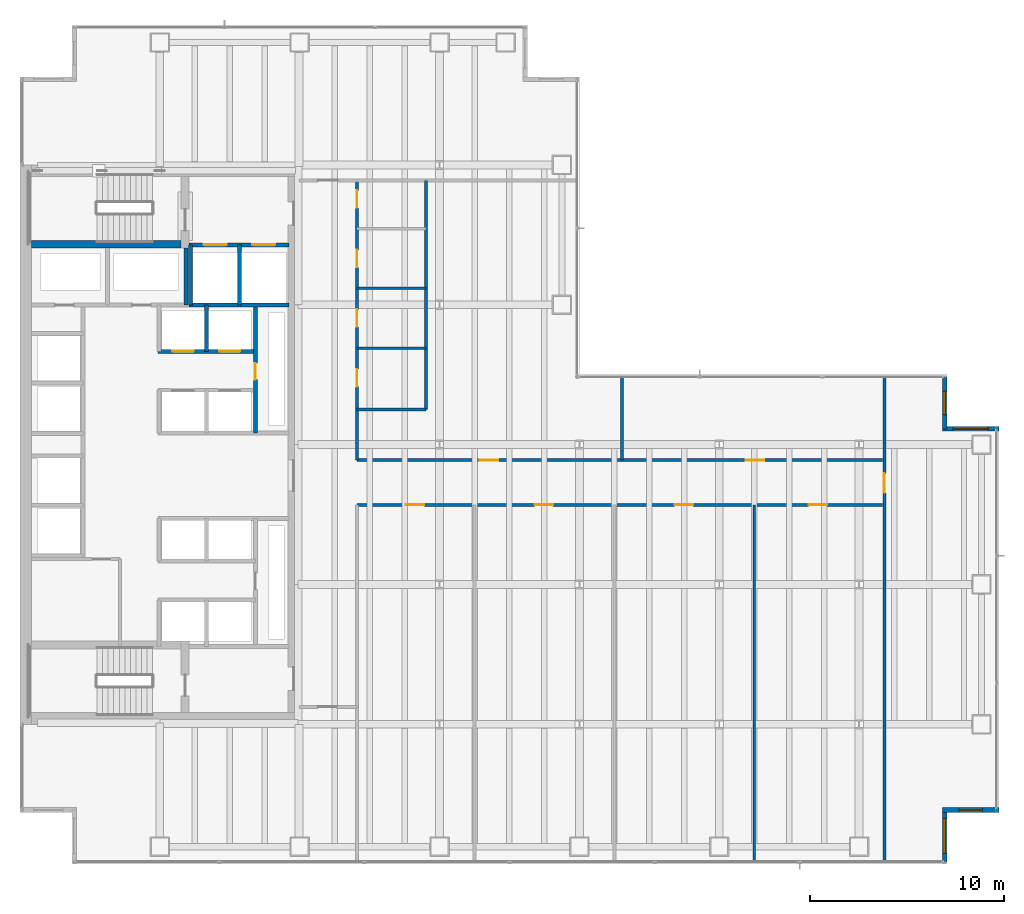
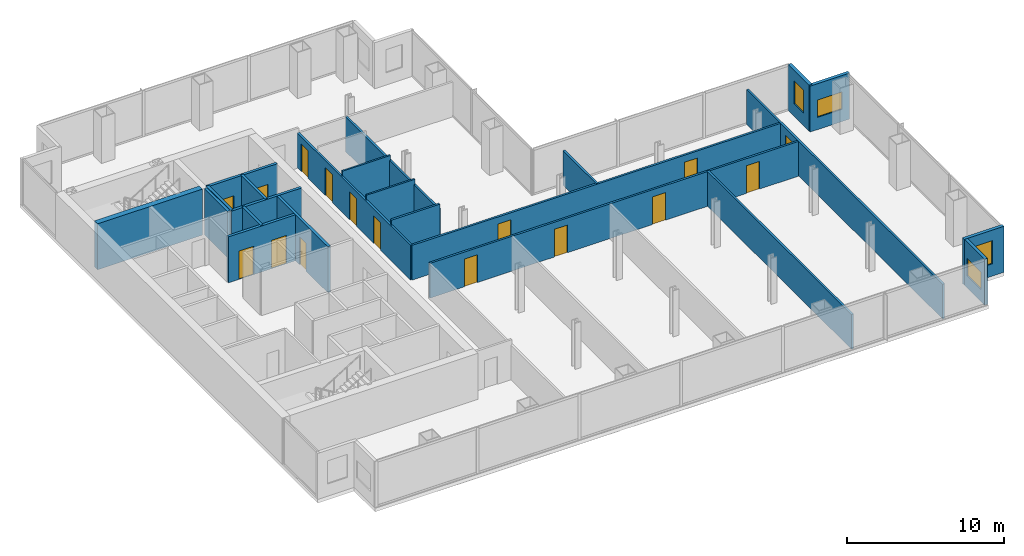
# One storey, part 21 of 25: 23 walls, 16 doors, 4 windows, 20 openings.
"""IFC4 building model written with IfcOpenShell, lengths in metres."""

from ifc_helpers import new_model, si_unit, direction, frame, frame_2d, origin, place, context, subcontext, project, spatial, rectangle, extrude, material, layer, layer_set, type_object, element, fill, save


model = new_model("IFC4")

# Units and contexts
model_context = context("Model", 3, precision=1e-05, world=origin(), true_north=direction((0.0, 1.0)))
body_context = subcontext(model_context, "Body", "Model", "MODEL_VIEW")
ifc_project = project(units=[si_unit("LENGTHUNIT", "METRE"), si_unit("AREAUNIT", "SQUARE_METRE"), si_unit("VOLUMEUNIT", "CUBIC_METRE"), si_unit("PLANEANGLEUNIT", "RADIAN"), si_unit("MASSUNIT", "GRAM", prefix="KILO")], contexts=[model_context])

# Site, building, storey
site_placement = place(None, origin())
site = spatial("IfcSite", under=ifc_project, at=site_placement, CompositionType="ELEMENT")
building_placement = place(site_placement, origin())
building = spatial("IfcBuilding", under=site, at=building_placement, Name="Cobrela Telecom Tower", CompositionType="ELEMENT")
storey_placement = place(building_placement, frame((0.0, 0.0, 58.10009765625)))
storey = spatial("IfcBuildingStorey", under=building, at=storey_placement, Name="L14", CompositionType="ELEMENT", Elevation=58.10009765625)

# Wall, opening, window
ifc_material_1 = material(Name="Concrete C40/50", Category="concrete")
ifc_layer_1 = layer(ifc_material_1, 0.239990234375)
ifc_layer_set_1 = layer_set([ifc_layer_1], Name="Concrete C40/50")
wall_type_1 = type_object("IfcWallType", Name="WALL-EXT-300", PredefinedType="STANDARD", material=ifc_layer_set_1)
wall_1_placement = place(storey_placement, frame((47.610107421875, 25.080078125, 0.0), z_axis=(0.0, 0.0, 1.0), x_axis=(0.0, -1.0, 0.0)))
wall_1 = element("IfcWall", 1, at=wall_1_placement, inside=storey, type_object=wall_type_1, Name="L14 Insulated Facade Wall 12", PredefinedType="STANDARD", context=body_context, shape_type="SweptSolid", body=[
    extrude(rectangle(XDim=2.670166015625, YDim=0.239990234375, at=frame_2d((1.3349609375, 0.0))), origin(), (0.0, 0.0, 1.0), 3.56982421875),
])
opening_1_placement = place(wall_1_placement, frame((0.735107421875, 0.0, 0.949951171875)))
opening_1 = element("IfcOpeningElement", 2, at=opening_1_placement, cuts=wall_1, Name="Opening WN-19", PredefinedType="OPENING", context=body_context, shape_type="SweptSolid", body=[
    extrude(rectangle(XDim=1.199951171875, YDim=1.800048828125, at=frame_2d((0.60009765625, 0.89990234375))), frame((0.0, 0.1318359375, 0.0), z_axis=(0.0, -1.0, 0.0), x_axis=(1.0, 0.0, 0.0)), (0.0, 0.0, 1.0), 0.263916015625),
])
ifc_material_2 = material(Name="Solar-Control Bronze Low-E Glass", Category="glass")
window_type_1 = type_object("IfcWindowType", Name="WIN-MOD-1200", PartitioningType="SINGLE_PANEL", PredefinedType="WINDOW", material=ifc_material_2)
window_1_placement = place(opening_1_placement, origin())
window_1 = element("IfcWindow", 3, at=window_1_placement, inside=storey, type_object=window_type_1, Name="L14 Corner Notch Facade Window 066", OverallHeight=1.800048828125, OverallWidth=1.199951171875, PartitioningType="SINGLE_PANEL", PredefinedType="WINDOW", context=body_context, shape_type="SweptSolid", body=[
    extrude(rectangle(XDim=1.199951171875, YDim=1.800048828125, at=frame_2d((0.60009765625, 0.89990234375))), frame((0.0, 0.030029296875, 0.0), z_axis=(0.0, -1.0, 0.0), x_axis=(1.0, 0.0, 0.0)), (0.0, 0.0, 1.0), 0.06005859375),
])
fill(opening_1, window_1)

wall_2_placement = place(storey_placement, frame((47.489990234375, 22.409912109375, 0.0), z_axis=(0.0, 0.0, 1.0), x_axis=(1.0, 0.0, 0.0)))
wall_2 = element("IfcWall", 4, at=wall_2_placement, inside=storey, type_object=wall_type_1, Name="L14 Insulated Facade Wall 13", PredefinedType="STANDARD", context=body_context, shape_type="SweptSolid", body=[
    extrude(rectangle(XDim=2.909912109375, YDim=0.239990234375, at=frame_2d((1.455078125, 0.0))), origin(), (0.0, 0.0, 1.0), 3.56982421875),
])
opening_2_placement = place(wall_2_placement, frame((0.554931640625, 0.0, 0.949951171875)))
opening_2 = element("IfcOpeningElement", 5, at=opening_2_placement, cuts=wall_2, Name="Opening WN-27", PredefinedType="OPENING", context=body_context, shape_type="SweptSolid", body=[
    extrude(rectangle(XDim=1.800048828125, YDim=1.35009765625, at=frame_2d((0.89990234375, 0.675048828125))), frame((0.0, 0.1318359375, 0.0), z_axis=(0.0, -1.0, 0.0), x_axis=(1.0, 0.0, 0.0)), (0.0, 0.0, 1.0), 0.263916015625),
])
window_type_2 = type_object("IfcWindowType", Name="WIN-CLER-1800", PartitioningType="SINGLE_PANEL", PredefinedType="WINDOW", material=ifc_material_2)
window_2_placement = place(opening_2_placement, origin())
window_2 = element("IfcWindow", 6, at=window_2_placement, inside=storey, type_object=window_type_2, Name="L14 Corner Notch Facade Window 067", OverallHeight=1.35009765625, OverallWidth=1.800048828125, PartitioningType="SINGLE_PANEL", PredefinedType="WINDOW", context=body_context, shape_type="SweptSolid", body=[
    extrude(rectangle(XDim=1.800048828125, YDim=1.35009765625, at=frame_2d((0.89990234375, 0.675048828125))), frame((0.0, 0.030029296875, 0.0), z_axis=(0.0, -1.0, 0.0), x_axis=(1.0, 0.0, 0.0)), (0.0, 0.0, 1.0), 0.06005859375),
])
fill(opening_2, window_2)

wall_3_placement = place(storey_placement, frame((50.39990234375, 2.7900390625, 0.0), z_axis=(0.0, 0.0, 1.0), x_axis=(-1.0, 0.0, 0.0)))
wall_3 = element("IfcWall", 7, at=wall_3_placement, inside=storey, type_object=wall_type_1, Name="L14 Insulated Facade Wall 15", PredefinedType="STANDARD", context=body_context, shape_type="SweptSolid", body=[
    extrude(rectangle(XDim=2.909912109375, YDim=0.239990234375, at=frame_2d((1.455078125, 0.0))), origin(), (0.0, 0.0, 1.0), 3.56982421875),
])
opening_3_placement = place(wall_3_placement, frame((0.85498046875, 0.0, 0.949951171875)))
opening_3 = element("IfcOpeningElement", 8, at=opening_3_placement, cuts=wall_3, Name="Opening WN-19", PredefinedType="OPENING", context=body_context, shape_type="SweptSolid", body=[
    extrude(rectangle(XDim=1.199951171875, YDim=1.800048828125, at=frame_2d((0.60009765625, 0.89990234375))), frame((0.0, 0.1318359375, 0.0), z_axis=(0.0, -1.0, 0.0), x_axis=(1.0, 0.0, 0.0)), (0.0, 0.0, 1.0), 0.263916015625),
])
window_3_placement = place(opening_3_placement, origin())
window_3 = element("IfcWindow", 9, at=window_3_placement, inside=storey, type_object=window_type_1, Name="L14 Corner Notch Facade Window 068", OverallHeight=1.800048828125, OverallWidth=1.199951171875, PartitioningType="SINGLE_PANEL", PredefinedType="WINDOW", context=body_context, shape_type="SweptSolid", body=[
    extrude(rectangle(XDim=1.199951171875, YDim=1.800048828125, at=frame_2d((0.60009765625, 0.89990234375))), frame((0.0, 0.030029296875, 0.0), z_axis=(0.0, -1.0, 0.0), x_axis=(1.0, 0.0, 0.0)), (0.0, 0.0, 1.0), 0.06005859375),
])
fill(opening_3, window_3)

wall_4_placement = place(storey_placement, frame((47.610107421875, 2.7900390625, 0.0), z_axis=(0.0, 0.0, 1.0), x_axis=(0.0, -1.0, 0.0)))
wall_4 = element("IfcWall", 10, at=wall_4_placement, inside=storey, type_object=wall_type_1, Name="L14 Insulated Facade Wall 16", PredefinedType="STANDARD", context=body_context, shape_type="SweptSolid", body=[
    extrude(rectangle(XDim=2.669921875, YDim=0.239990234375, at=frame_2d((1.3349609375, 0.0))), origin(), (0.0, 0.0, 1.0), 3.56982421875),
])
opening_4_placement = place(wall_4_placement, frame((0.43505859375, 0.0, 0.949951171875)))
opening_4 = element("IfcOpeningElement", 11, at=opening_4_placement, cuts=wall_4, Name="Opening WN-27", PredefinedType="OPENING", context=body_context, shape_type="SweptSolid", body=[
    extrude(rectangle(XDim=1.800048828125, YDim=1.35009765625, at=frame_2d((0.89990234375, 0.675048828125))), frame((0.0, 0.1318359375, 0.0), z_axis=(0.0, -1.0, 0.0), x_axis=(1.0, 0.0, 0.0)), (0.0, 0.0, 1.0), 0.263916015625),
])
window_4_placement = place(opening_4_placement, origin())
window_4 = element("IfcWindow", 12, at=window_4_placement, inside=storey, type_object=window_type_2, Name="L14 Corner Notch Facade Window 069", OverallHeight=1.35009765625, OverallWidth=1.800048828125, PartitioningType="SINGLE_PANEL", PredefinedType="WINDOW", context=body_context, shape_type="SweptSolid", body=[
    extrude(rectangle(XDim=1.800048828125, YDim=1.35009765625, at=frame_2d((0.89990234375, 0.675048828125))), frame((0.0, 0.030029296875, 0.0), z_axis=(0.0, -1.0, 0.0), x_axis=(1.0, 0.0, 0.0)), (0.0, 0.0, 1.0), 0.06005859375),
])
fill(opening_4, window_4)

# Walls
ifc_material_3 = material(Name="Fire-Rated Gypsum Plasterboard")
ifc_layer_2 = layer(ifc_material_3, 0.125)
ifc_layer_set_2 = layer_set([ifc_layer_2], Name="Fire-Rated Gypsum Plasterboard")
wall_type_2 = type_object("IfcWallType", Name="WALL-PART-125", PredefinedType="PARTITIONING", material=ifc_layer_set_2)
for number, where, z_axis, x_axis, name in (
    (13, (17.35009765625, 26.570068359375, 0.0), (0.0, 0.0, 1.0), (1.0, 0.0, 0.0), "L14 Interior Partition W-WCD-1"),
    (14, (17.35009765625, 29.639892578125, 0.0), (0.0, 0.0, 1.0), (1.0, 0.0, 0.0), "L14 Interior Partition W-WCD-2"),
):
    element("IfcWall", number, at=place(storey_placement, frame(where, z_axis=z_axis, x_axis=x_axis)), inside=storey, type_object=wall_type_2, Name=name, PredefinedType="PARTITIONING", context=body_context, shape_type="SweptSolid", body=[
        extrude(rectangle(XDim=3.5498046875, YDim=0.125, at=frame_2d((1.77490234375, 0.0))), origin(), (0.0, 0.0, 1.0), 3.087890625),
    ])

# Wall, openings, doors
ifc_layer_3 = layer(ifc_material_3, 0.14990234375)
ifc_layer_set_3 = layer_set([ifc_layer_3], Name="Fire-Rated Gypsum Plasterboard")
wall_type_3 = type_object("IfcWallType", Name="WALL-PART-150", PredefinedType="PARTITIONING", material=ifc_layer_set_3)
wall_5_placement = place(storey_placement, frame((17.35009765625, 20.800048828125, 0.0), z_axis=(0.0, 0.0, 1.0), x_axis=(0.0, 1.0, 0.0)))
wall_5 = element("IfcWall", 15, at=wall_5_placement, inside=storey, type_object=wall_type_3, Name="L14 Interior Partition W-C-E2", PredefinedType="PARTITIONING", context=body_context, shape_type="SweptSolid", body=[
    extrude(rectangle(XDim=14.39990234375, YDim=0.14990234375, at=frame_2d((7.199951171875, 0.0))), origin(), (0.0, 0.0, 1.0), 2.698974609375),
])
opening_5_placement = place(wall_5_placement, frame((3.7900390625, 0.0, 0.0)))
opening_5 = element("IfcOpeningElement", 16, at=opening_5_placement, cuts=wall_5, Name="Opening DR-41", PredefinedType="OPENING", context=body_context, shape_type="SweptSolid", body=[
    extrude(rectangle(XDim=0.89990234375, YDim=2.14990234375, at=frame_2d((0.449951171875, 1.074951171875))), frame((0.0, 0.0869140625, 0.0), z_axis=(0.0, -1.0, 0.0), x_axis=(1.0, 0.0, 0.0)), (0.0, 0.0, 1.0), 0.173828125),
])
opening_6_placement = place(wall_5_placement, frame((6.860107421875, 0.0, 0.0)))
opening_6 = element("IfcOpeningElement", 17, at=opening_6_placement, cuts=wall_5, Name="Opening DR-41", PredefinedType="OPENING", context=body_context, shape_type="SweptSolid", body=[
    extrude(rectangle(XDim=0.89990234375, YDim=2.14990234375, at=frame_2d((0.449951171875, 1.074951171875))), frame((0.0, 0.0869140625, 0.0), z_axis=(0.0, -1.0, 0.0), x_axis=(1.0, 0.0, 0.0)), (0.0, 0.0, 1.0), 0.173828125),
])
opening_7_placement = place(wall_5_placement, frame((9.929931640625, 0.0, 0.0)))
opening_7 = element("IfcOpeningElement", 18, at=opening_7_placement, cuts=wall_5, Name="Opening DR-41", PredefinedType="OPENING", context=body_context, shape_type="SweptSolid", body=[
    extrude(rectangle(XDim=0.89990234375, YDim=2.14990234375, at=frame_2d((0.449951171875, 1.074951171875))), frame((0.0, 0.0869140625, 0.0), z_axis=(0.0, -1.0, 0.0), x_axis=(1.0, 0.0, 0.0)), (0.0, 0.0, 1.0), 0.173828125),
])
opening_8_placement = place(wall_5_placement, frame((12.989990234375, 0.0, 0.0)))
opening_8 = element("IfcOpeningElement", 19, at=opening_8_placement, cuts=wall_5, Name="Opening DR-41", PredefinedType="OPENING", context=body_context, shape_type="SweptSolid", body=[
    extrude(rectangle(XDim=0.89990234375, YDim=2.14990234375, at=frame_2d((0.449951171875, 1.074951171875))), frame((0.0, 0.0869140625, 0.0), z_axis=(0.0, -1.0, 0.0), x_axis=(1.0, 0.0, 0.0)), (0.0, 0.0, 1.0), 0.173828125),
])
ifc_material_4 = material(Name="Solid Engineered Oak Timber", Category="wood")
door_type_1 = type_object("IfcDoorType", Name="DOOR-INT-900", OperationType="SINGLE_SWING_LEFT", PredefinedType="DOOR", material=ifc_material_4)
door_1_placement = place(opening_5_placement, origin())
door_1 = element("IfcDoor", 20, at=door_1_placement, inside=storey, type_object=door_type_1, Name="L14 Door DR-41", OperationType="SINGLE_SWING_LEFT", OverallHeight=2.14990234375, OverallWidth=0.89990234375, PredefinedType="DOOR", context=body_context, shape_type="SweptSolid", body=[
    extrude(rectangle(XDim=0.89990234375, YDim=2.14990234375, at=frame_2d((0.449951171875, 1.074951171875))), frame((0.0, 0.02490234375, 0.0), z_axis=(0.0, -1.0, 0.0), x_axis=(1.0, 0.0, 0.0)), (0.0, 0.0, 1.0), 0.050048828125),
])
fill(opening_5, door_1)
door_2_placement = place(opening_6_placement, origin())
door_2 = element("IfcDoor", 21, at=door_2_placement, inside=storey, type_object=door_type_1, Name="L14 Door DR-41", OperationType="SINGLE_SWING_RIGHT", OverallHeight=2.14990234375, OverallWidth=0.89990234375, PredefinedType="DOOR", context=body_context, shape_type="SweptSolid", body=[
    extrude(rectangle(XDim=0.89990234375, YDim=2.14990234375, at=frame_2d((0.449951171875, 1.074951171875))), frame((0.0, 0.02490234375, 0.0), z_axis=(0.0, -1.0, 0.0), x_axis=(1.0, 0.0, 0.0)), (0.0, 0.0, 1.0), 0.050048828125),
])
fill(opening_6, door_2)
door_3_placement = place(opening_7_placement, origin())
door_3 = element("IfcDoor", 22, at=door_3_placement, inside=storey, type_object=door_type_1, Name="L14 Door DR-41", OperationType="SINGLE_SWING_LEFT", OverallHeight=2.14990234375, OverallWidth=0.89990234375, PredefinedType="DOOR", context=body_context, shape_type="SweptSolid", body=[
    extrude(rectangle(XDim=0.89990234375, YDim=2.14990234375, at=frame_2d((0.449951171875, 1.074951171875))), frame((0.0, 0.02490234375, 0.0), z_axis=(0.0, -1.0, 0.0), x_axis=(1.0, 0.0, 0.0)), (0.0, 0.0, 1.0), 0.050048828125),
])
fill(opening_7, door_3)
door_4_placement = place(opening_8_placement, origin())
door_4 = element("IfcDoor", 23, at=door_4_placement, inside=storey, type_object=door_type_1, Name="L14 Door DR-41", OperationType="SINGLE_SWING_RIGHT", OverallHeight=2.14990234375, OverallWidth=0.89990234375, PredefinedType="DOOR", context=body_context, shape_type="SweptSolid", body=[
    extrude(rectangle(XDim=0.89990234375, YDim=2.14990234375, at=frame_2d((0.449951171875, 1.074951171875))), frame((0.0, 0.02490234375, 0.0), z_axis=(0.0, -1.0, 0.0), x_axis=(1.0, 0.0, 0.0)), (0.0, 0.0, 1.0), 0.050048828125),
])
fill(opening_8, door_4)

wall_6_placement = place(storey_placement, frame((17.35009765625, 18.5, 0.0), z_axis=(0.0, 0.0, 1.0), x_axis=(1.0, 0.0, 0.0)))
wall_6 = element("IfcWall", 24, at=wall_6_placement, inside=storey, type_object=wall_type_3, Name="L14 Interior Partition W-C-HS", PredefinedType="PARTITIONING", context=body_context, shape_type="SweptSolid", body=[
    extrude(rectangle(XDim=27.0498046875, YDim=0.14990234375, at=frame_2d((13.52490234375, 0.0))), origin(), (0.0, 0.0, 1.0), 2.698974609375),
])
opening_9_placement = place(wall_6_placement, frame((2.52001953125, 0.0, 0.0)))
opening_9 = element("IfcOpeningElement", 25, at=opening_9_placement, cuts=wall_6, Name="Opening DR-67", PredefinedType="OPENING", context=body_context, shape_type="SweptSolid", body=[
    extrude(rectangle(XDim=0.949951171875, YDim=2.14990234375, at=frame_2d((0.47509765625, 1.074951171875))), frame((0.0, 0.0869140625, 0.0), z_axis=(0.0, -1.0, 0.0), x_axis=(1.0, 0.0, 0.0)), (0.0, 0.0, 1.0), 0.173828125),
])
opening_10_placement = place(wall_6_placement, frame((9.14990234375, 0.0, 0.0)))
opening_10 = element("IfcOpeningElement", 26, at=opening_10_placement, cuts=wall_6, Name="Opening DR-67", PredefinedType="OPENING", context=body_context, shape_type="SweptSolid", body=[
    extrude(rectangle(XDim=0.949951171875, YDim=2.14990234375, at=frame_2d((0.47509765625, 1.074951171875))), frame((0.0, 0.0869140625, 0.0), z_axis=(0.0, -1.0, 0.0), x_axis=(1.0, 0.0, 0.0)), (0.0, 0.0, 1.0), 0.173828125),
])
opening_11_placement = place(wall_6_placement, frame((16.35009765625, 0.0, 0.0)))
opening_11 = element("IfcOpeningElement", 27, at=opening_11_placement, cuts=wall_6, Name="Opening DR-67", PredefinedType="OPENING", context=body_context, shape_type="SweptSolid", body=[
    extrude(rectangle(XDim=0.949951171875, YDim=2.14990234375, at=frame_2d((0.47509765625, 1.074951171875))), frame((0.0, 0.0869140625, 0.0), z_axis=(0.0, -1.0, 0.0), x_axis=(1.0, 0.0, 0.0)), (0.0, 0.0, 1.0), 0.173828125),
])
opening_12_placement = place(wall_6_placement, frame((23.25, 0.0, 0.0)))
opening_12 = element("IfcOpeningElement", 28, at=opening_12_placement, cuts=wall_6, Name="Opening DR-67", PredefinedType="OPENING", context=body_context, shape_type="SweptSolid", body=[
    extrude(rectangle(XDim=0.949951171875, YDim=2.14990234375, at=frame_2d((0.47509765625, 1.074951171875))), frame((0.0, 0.0869140625, 0.0), z_axis=(0.0, -1.0, 0.0), x_axis=(1.0, 0.0, 0.0)), (0.0, 0.0, 1.0), 0.173828125),
])
door_type_2 = type_object("IfcDoorType", Name="DOOR-INT-950", OperationType="SINGLE_SWING_LEFT", PredefinedType="DOOR", material=ifc_material_4)
door_5_placement = place(opening_9_placement, origin())
door_5 = element("IfcDoor", 29, at=door_5_placement, inside=storey, type_object=door_type_2, Name="L14 Door DR-67", OperationType="SINGLE_SWING_LEFT", OverallHeight=2.14990234375, OverallWidth=0.949951171875, PredefinedType="DOOR", context=body_context, shape_type="SweptSolid", body=[
    extrude(rectangle(XDim=0.949951171875, YDim=2.14990234375, at=frame_2d((0.47509765625, 1.074951171875))), frame((0.0, 0.02490234375, 0.0), z_axis=(0.0, -1.0, 0.0), x_axis=(1.0, 0.0, 0.0)), (0.0, 0.0, 1.0), 0.050048828125),
])
fill(opening_9, door_5)
door_6_placement = place(opening_10_placement, origin())
door_6 = element("IfcDoor", 30, at=door_6_placement, inside=storey, type_object=door_type_2, Name="L14 Door DR-67", OperationType="SINGLE_SWING_RIGHT", OverallHeight=2.14990234375, OverallWidth=0.949951171875, PredefinedType="DOOR", context=body_context, shape_type="SweptSolid", body=[
    extrude(rectangle(XDim=0.949951171875, YDim=2.14990234375, at=frame_2d((0.47509765625, 1.074951171875))), frame((0.0, 0.02490234375, 0.0), z_axis=(0.0, -1.0, 0.0), x_axis=(1.0, 0.0, 0.0)), (0.0, 0.0, 1.0), 0.050048828125),
])
fill(opening_10, door_6)
door_7_placement = place(opening_11_placement, origin())
door_7 = element("IfcDoor", 31, at=door_7_placement, inside=storey, type_object=door_type_2, Name="L14 Door DR-67", OperationType="SINGLE_SWING_LEFT", OverallHeight=2.14990234375, OverallWidth=0.949951171875, PredefinedType="DOOR", context=body_context, shape_type="SweptSolid", body=[
    extrude(rectangle(XDim=0.949951171875, YDim=2.14990234375, at=frame_2d((0.47509765625, 1.074951171875))), frame((0.0, 0.02490234375, 0.0), z_axis=(0.0, -1.0, 0.0), x_axis=(1.0, 0.0, 0.0)), (0.0, 0.0, 1.0), 0.050048828125),
])
fill(opening_11, door_7)
door_8_placement = place(opening_12_placement, origin())
door_8 = element("IfcDoor", 32, at=door_8_placement, inside=storey, type_object=door_type_2, Name="L14 Door DR-67", OperationType="SINGLE_SWING_RIGHT", OverallHeight=2.14990234375, OverallWidth=0.949951171875, PredefinedType="DOOR", context=body_context, shape_type="SweptSolid", body=[
    extrude(rectangle(XDim=0.949951171875, YDim=2.14990234375, at=frame_2d((0.47509765625, 1.074951171875))), frame((0.0, 0.02490234375, 0.0), z_axis=(0.0, -1.0, 0.0), x_axis=(1.0, 0.0, 0.0)), (0.0, 0.0, 1.0), 0.050048828125),
])
fill(opening_12, door_8)

wall_7_placement = place(storey_placement, frame((17.35009765625, 20.800048828125, 0.0), z_axis=(0.0, 0.0, 1.0), x_axis=(1.0, 0.0, 0.0)))
wall_7 = element("IfcWall", 33, at=wall_7_placement, inside=storey, type_object=wall_type_3, Name="L14 Interior Partition W-C-HN", PredefinedType="PARTITIONING", context=body_context, shape_type="SweptSolid", body=[
    extrude(rectangle(XDim=27.0498046875, YDim=0.14990234375, at=frame_2d((13.52490234375, 0.0))), origin(), (0.0, 0.0, 1.0), 2.698974609375),
])
opening_13_placement = place(wall_7_placement, frame((6.320068359375, 0.0, 0.0)))
opening_13 = element("IfcOpeningElement", 34, at=opening_13_placement, cuts=wall_7, Name="Opening DR-67", PredefinedType="OPENING", context=body_context, shape_type="SweptSolid", body=[
    extrude(rectangle(XDim=0.949951171875, YDim=2.14990234375, at=frame_2d((0.47509765625, 1.074951171875))), frame((0.0, 0.0869140625, 0.0), z_axis=(0.0, -1.0, 0.0), x_axis=(1.0, 0.0, 0.0)), (0.0, 0.0, 1.0), 0.173828125),
])
opening_14_placement = place(wall_7_placement, frame((20.010009765625, 0.0, 0.0)))
opening_14 = element("IfcOpeningElement", 35, at=opening_14_placement, cuts=wall_7, Name="Opening DR-67", PredefinedType="OPENING", context=body_context, shape_type="SweptSolid", body=[
    extrude(rectangle(XDim=0.949951171875, YDim=2.14990234375, at=frame_2d((0.47509765625, 1.074951171875))), frame((0.0, 0.0869140625, 0.0), z_axis=(0.0, -1.0, 0.0), x_axis=(1.0, 0.0, 0.0)), (0.0, 0.0, 1.0), 0.173828125),
])
door_9_placement = place(opening_13_placement, origin())
door_9 = element("IfcDoor", 36, at=door_9_placement, inside=storey, type_object=door_type_2, Name="L14 Door DR-67", OperationType="SINGLE_SWING_LEFT", OverallHeight=2.14990234375, OverallWidth=0.949951171875, PredefinedType="DOOR", context=body_context, shape_type="SweptSolid", body=[
    extrude(rectangle(XDim=0.949951171875, YDim=2.14990234375, at=frame_2d((0.47509765625, 1.074951171875))), frame((0.0, 0.02490234375, 0.0), z_axis=(0.0, -1.0, 0.0), x_axis=(1.0, 0.0, 0.0)), (0.0, 0.0, 1.0), 0.050048828125),
])
fill(opening_13, door_9)
door_10_placement = place(opening_14_placement, origin())
door_10 = element("IfcDoor", 37, at=door_10_placement, inside=storey, type_object=door_type_2, Name="L14 Door DR-67", OperationType="SINGLE_SWING_RIGHT", OverallHeight=2.14990234375, OverallWidth=0.949951171875, PredefinedType="DOOR", context=body_context, shape_type="SweptSolid", body=[
    extrude(rectangle(XDim=0.949951171875, YDim=2.14990234375, at=frame_2d((0.47509765625, 1.074951171875))), frame((0.0, 0.02490234375, 0.0), z_axis=(0.0, -1.0, 0.0), x_axis=(1.0, 0.0, 0.0)), (0.0, 0.0, 1.0), 0.050048828125),
])
fill(opening_14, door_10)

# Wall, opening, door
wall_8_placement = place(storey_placement, frame((44.5, 0.1201171875, 0.0), z_axis=(0.0, 0.0, 1.0), x_axis=(0.0, 1.0, 0.0)))
wall_8 = element("IfcWall", 38, at=wall_8_placement, inside=storey, type_object=wall_type_3, Name="L14 Interior Partition W-C-END", PredefinedType="PARTITIONING", context=body_context, shape_type="SweptSolid", body=[
    extrude(rectangle(XDim=24.9599609375, YDim=0.14990234375, at=frame_2d((12.47998046875, 0.0))), origin(), (0.0, 0.0, 1.0), 2.698974609375),
])
opening_15_placement = place(wall_8_placement, frame((19.0, 0.0, 0.0)))
opening_15 = element("IfcOpeningElement", 39, at=opening_15_placement, cuts=wall_8, Name="Opening DR-31", PredefinedType="OPENING", context=body_context, shape_type="SweptSolid", body=[
    extrude(rectangle(XDim=1.0, YDim=2.14990234375, at=frame_2d((0.5, 1.074951171875))), frame((0.0, 0.0869140625, 0.0), z_axis=(0.0, -1.0, 0.0), x_axis=(1.0, 0.0, 0.0)), (0.0, 0.0, 1.0), 0.173828125),
])
door_type_3 = type_object("IfcDoorType", Name="DOOR-INT-1000", OperationType="SINGLE_SWING_LEFT", PredefinedType="DOOR", material=ifc_material_4)
door_11_placement = place(opening_15_placement, origin())
door_11 = element("IfcDoor", 40, at=door_11_placement, inside=storey, type_object=door_type_3, Name="L14 Door DR-31", OperationType="SINGLE_SWING_LEFT", OverallHeight=2.14990234375, OverallWidth=1.0, PredefinedType="DOOR", context=body_context, shape_type="SweptSolid", body=[
    extrude(rectangle(XDim=1.0, YDim=2.14990234375, at=frame_2d((0.5, 1.074951171875))), frame((0.0, 0.02490234375, 0.0), z_axis=(0.0, -1.0, 0.0), x_axis=(1.0, 0.0, 0.0)), (0.0, 0.0, 1.0), 0.050048828125),
])
fill(opening_15, door_11)

# Walls
wall_9_placement = place(storey_placement, frame((17.35009765625, 23.39990234375, 0.0), z_axis=(0.0, 0.0, 1.0), x_axis=(1.0, 0.0, 0.0)))
element("IfcWall", 41, at=wall_9_placement, inside=storey, type_object=wall_type_3, Name="L14 Interior Partition W-WC-S", PredefinedType="PARTITIONING", context=body_context, shape_type="SweptSolid", body=[
    extrude(rectangle(XDim=3.5498046875, YDim=0.14990234375, at=frame_2d((1.77490234375, 0.0))), origin(), (0.0, 0.0, 1.0), 3.087890625),
])
wall_10_placement = place(storey_placement, frame((20.89990234375, 23.39990234375, 0.0), z_axis=(0.0, 0.0, 1.0), x_axis=(0.0, 1.0, 0.0)))
element("IfcWall", 42, at=wall_10_placement, inside=storey, type_object=wall_type_3, Name="L14 Interior Partition W-WC-E", PredefinedType="PARTITIONING", context=body_context, shape_type="SweptSolid", body=[
    extrude(rectangle(XDim=11.800048828125, YDim=0.14990234375, at=frame_2d((5.89990234375, 0.0))), origin(), (0.0, 0.0, 1.0), 2.698974609375),
])
wall_11_placement = place(storey_placement, frame((31.0, 20.800048828125, 0.0), z_axis=(0.0, 0.0, 1.0), x_axis=(0.0, 1.0, 0.0)))
element("IfcWall", 43, at=wall_11_placement, inside=storey, type_object=wall_type_3, Name="L14 Interior Partition W-NV-1", PredefinedType="PARTITIONING", context=body_context, shape_type="SweptSolid", body=[
    extrude(rectangle(XDim=4.25, YDim=0.14990234375, at=frame_2d((2.125, 0.0))), origin(), (0.0, 0.0, 1.0), 2.698974609375),
])
wall_12_placement = place(storey_placement, frame((37.800048828125, 0.1201171875, 0.0), z_axis=(0.0, 0.0, 1.0), x_axis=(0.0, 1.0, 0.0)))
element("IfcWall", 44, at=wall_12_placement, inside=storey, type_object=wall_type_3, Name="L14 Interior Partition W-SV-3", PredefinedType="PARTITIONING", context=body_context, shape_type="SweptSolid", body=[
    extrude(rectangle(XDim=18.3798828125, YDim=0.14990234375, at=frame_2d((9.18994140625, 0.0))), origin(), (0.0, 0.0, 1.0), 2.698974609375),
])

# Wall, openings, doors
ifc_layer_4 = layer(ifc_material_3, 0.199951171875)
ifc_layer_set_4 = layer_set([ifc_layer_4], Name="Fire-Rated Gypsum Plasterboard")
wall_type_4 = type_object("IfcWallType", Name="WALL-SHAFT-200", PredefinedType="PARTITIONING", material=ifc_layer_set_4)
wall_13_placement = place(storey_placement, frame((8.699951171875, 31.8798828125, 0.0), z_axis=(0.0, 0.0, 1.0), x_axis=(1.0, 0.0, 0.0)))
wall_13 = element("IfcWall", 45, at=wall_13_placement, inside=storey, type_object=wall_type_4, Name="L14 Shaft Enclosure CW-FFL-S", PredefinedType="PARTITIONING", context=body_context, shape_type="SweptSolid", body=[
    extrude(rectangle(XDim=5.150146484375, YDim=0.199951171875, at=frame_2d((2.5751953125, 0.0))), origin(), (0.0, 0.0, 1.0), 3.56982421875),
])
opening_16_placement = place(wall_13_placement, frame((0.75, 0.0, 0.0)))
opening_16 = element("IfcOpeningElement", 46, at=opening_16_placement, cuts=wall_13, Name="Opening LD-2", PredefinedType="OPENING", context=body_context, shape_type="SweptSolid", body=[
    extrude(rectangle(XDim=1.199951171875, YDim=2.199951171875, at=frame_2d((0.60009765625, 1.10009765625))), frame((0.0, 0.11181640625, 0.0), z_axis=(0.0, -1.0, 0.0), x_axis=(1.0, 0.0, 0.0)), (0.0, 0.0, 1.0), 0.223876953125),
])
opening_17_placement = place(wall_13_placement, frame((3.25, 0.0, 0.0)))
opening_17 = element("IfcOpeningElement", 47, at=opening_17_placement, cuts=wall_13, Name="Opening LD-2", PredefinedType="OPENING", context=body_context, shape_type="SweptSolid", body=[
    extrude(rectangle(XDim=1.199951171875, YDim=2.199951171875, at=frame_2d((0.60009765625, 1.10009765625))), frame((0.0, 0.11181640625, 0.0), z_axis=(0.0, -1.0, 0.0), x_axis=(1.0, 0.0, 0.0)), (0.0, 0.0, 1.0), 0.223876953125),
])
ifc_material_5 = material(Name="Steel ASTM A36", Category="steel")
door_type_4 = type_object("IfcDoorType", Name="DOOR-LD-FFL", OperationType="SINGLE_SWING_LEFT", PredefinedType="DOOR", material=ifc_material_5)
door_12_placement = place(opening_16_placement, origin())
door_12 = element("IfcDoor", 48, at=door_12_placement, inside=storey, type_object=door_type_4, Name="L14 Lift Landing Door LD-2", OperationType="DOUBLE_DOOR_SLIDING", OverallHeight=2.199951171875, OverallWidth=1.199951171875, PredefinedType="DOOR", context=body_context, shape_type="SweptSolid", body=[
    extrude(rectangle(XDim=1.199951171875, YDim=2.199951171875, at=frame_2d((0.60009765625, 1.10009765625))), frame((0.0, 0.02490234375, 0.0), z_axis=(0.0, -1.0, 0.0), x_axis=(1.0, 0.0, 0.0)), (0.0, 0.0, 1.0), 0.050048828125),
])
fill(opening_16, door_12)
door_13_placement = place(opening_17_placement, origin())
door_13 = element("IfcDoor", 49, at=door_13_placement, inside=storey, type_object=door_type_4, Name="L14 Lift Landing Door LD-2", OperationType="DOUBLE_DOOR_SLIDING", OverallHeight=2.199951171875, OverallWidth=1.199951171875, PredefinedType="DOOR", context=body_context, shape_type="SweptSolid", body=[
    extrude(rectangle(XDim=1.199951171875, YDim=2.199951171875, at=frame_2d((0.60009765625, 1.10009765625))), frame((0.0, 0.02490234375, 0.0), z_axis=(0.0, -1.0, 0.0), x_axis=(1.0, 0.0, 0.0)), (0.0, 0.0, 1.0), 0.050048828125),
])
fill(opening_17, door_13)

# Walls
wall_14_placement = place(storey_placement, frame((8.699951171875, 28.780029296875, 0.0), z_axis=(0.0, 0.0, 1.0), x_axis=(1.0, 0.0, 0.0)))
element("IfcWall", 50, at=wall_14_placement, inside=storey, type_object=wall_type_4, Name="L14 Shaft Enclosure CW-FFL-S2", PredefinedType="PARTITIONING", context=body_context, shape_type="SweptSolid", body=[
    extrude(rectangle(XDim=5.150146484375, YDim=0.199951171875, at=frame_2d((2.5751953125, 0.0))), origin(), (0.0, 0.0, 1.0), 3.56982421875),
])
for number, where, z_axis, x_axis, name in (
    (51, (8.780029296875, 28.780029296875, 0.0), (0.0, 0.0, 1.0), (0.0, 1.0, 0.0), "L14 Shaft Enclosure CW-FFL-W"),
    (52, (11.300048828125, 28.780029296875, 0.0), (0.0, 0.0, 1.0), (0.0, 1.0, 0.0), "L14 Shaft Enclosure CW-FFL-M"),
):
    element("IfcWall", number, at=place(storey_placement, frame(where, z_axis=z_axis, x_axis=x_axis)), inside=storey, type_object=wall_type_4, Name=name, PredefinedType="PARTITIONING", context=body_context, shape_type="SweptSolid", body=[
        extrude(rectangle(XDim=3.099853515625, YDim=0.199951171875, at=frame_2d((1.5498046875, 0.0))), origin(), (0.0, 0.0, 1.0), 3.56982421875),
    ])
wall_15_placement = place(storey_placement, frame((8.550048828125, 28.780029296875, 0.0), z_axis=(0.0, 0.0, 1.0), x_axis=(0.0, 1.0, 0.0)))
element("IfcWall", 53, at=wall_15_placement, inside=storey, type_object=wall_type_4, Name="L14 Shaft Enclosure CW-RIS-E", PredefinedType="PARTITIONING", context=body_context, shape_type="SweptSolid", body=[
    extrude(rectangle(XDim=2.93994140625, YDim=0.199951171875, at=frame_2d((1.469970703125, 0.0))), origin(), (0.0, 0.0, 1.0), 3.56982421875),
])

# Wall, openings, doors
wall_16_placement = place(storey_placement, frame((7.10009765625, 26.39990234375, 0.0), z_axis=(0.0, 0.0, 1.0), x_axis=(1.0, 0.0, 0.0)))
wall_16 = element("IfcWall", 54, at=wall_16_placement, inside=storey, type_object=wall_type_4, Name="L14 Shaft Enclosure CW-PLL-N", PredefinedType="PARTITIONING", context=body_context, shape_type="SweptSolid", body=[
    extrude(rectangle(XDim=5.02001953125, YDim=0.199951171875, at=frame_2d((2.510009765625, 0.0))), origin(), (0.0, 0.0, 1.0), 3.56982421875),
])
opening_18_placement = place(wall_16_placement, frame((0.75, 0.0, 0.0)))
opening_18 = element("IfcOpeningElement", 55, at=opening_18_placement, cuts=wall_16, Name="Opening LD-1", PredefinedType="OPENING", context=body_context, shape_type="SweptSolid", body=[
    extrude(rectangle(XDim=1.10009765625, YDim=2.199951171875, at=frame_2d((0.550048828125, 1.10009765625))), frame((0.0, 0.11181640625, 0.0), z_axis=(0.0, -1.0, 0.0), x_axis=(1.0, 0.0, 0.0)), (0.0, 0.0, 1.0), 0.223876953125),
])
opening_19_placement = place(wall_16_placement, frame((3.14990234375, 0.0, 0.0)))
opening_19 = element("IfcOpeningElement", 56, at=opening_19_placement, cuts=wall_16, Name="Opening LD-1", PredefinedType="OPENING", context=body_context, shape_type="SweptSolid", body=[
    extrude(rectangle(XDim=1.10009765625, YDim=2.199951171875, at=frame_2d((0.550048828125, 1.10009765625))), frame((0.0, 0.11181640625, 0.0), z_axis=(0.0, -1.0, 0.0), x_axis=(1.0, 0.0, 0.0)), (0.0, 0.0, 1.0), 0.223876953125),
])
door_type_5 = type_object("IfcDoorType", Name="DOOR-LD-PL", OperationType="SINGLE_SWING_LEFT", PredefinedType="DOOR", material=ifc_material_5)
door_14_placement = place(opening_18_placement, origin())
door_14 = element("IfcDoor", 57, at=door_14_placement, inside=storey, type_object=door_type_5, Name="L14 Lift Landing Door LD-1", OperationType="DOUBLE_DOOR_SLIDING", OverallHeight=2.199951171875, OverallWidth=1.10009765625, PredefinedType="DOOR", context=body_context, shape_type="SweptSolid", body=[
    extrude(rectangle(XDim=1.10009765625, YDim=2.199951171875, at=frame_2d((0.550048828125, 1.10009765625))), frame((0.0, 0.02490234375, 0.0), z_axis=(0.0, -1.0, 0.0), x_axis=(1.0, 0.0, 0.0)), (0.0, 0.0, 1.0), 0.050048828125),
])
fill(opening_18, door_14)
door_15_placement = place(opening_19_placement, origin())
door_15 = element("IfcDoor", 58, at=door_15_placement, inside=storey, type_object=door_type_5, Name="L14 Lift Landing Door LD-1", OperationType="DOUBLE_DOOR_SLIDING", OverallHeight=2.199951171875, OverallWidth=1.10009765625, PredefinedType="DOOR", context=body_context, shape_type="SweptSolid", body=[
    extrude(rectangle(XDim=1.10009765625, YDim=2.199951171875, at=frame_2d((0.550048828125, 1.10009765625))), frame((0.0, 0.02490234375, 0.0), z_axis=(0.0, -1.0, 0.0), x_axis=(1.0, 0.0, 0.0)), (0.0, 0.0, 1.0), 0.050048828125),
])
fill(opening_19, door_15)

# Wall
wall_17_placement = place(storey_placement, frame((9.60009765625, 26.39990234375, 0.0), z_axis=(0.0, 0.0, 1.0), x_axis=(0.0, 1.0, 0.0)))
element("IfcWall", 59, at=wall_17_placement, inside=storey, type_object=wall_type_4, Name="L14 Shaft Enclosure CW-PLL-V2B", PredefinedType="PARTITIONING", context=body_context, shape_type="SweptSolid", body=[
    extrude(rectangle(XDim=2.380126953125, YDim=0.199951171875, at=frame_2d((1.18994140625, 0.0))), origin(), (0.0, 0.0, 1.0), 3.56982421875),
])

# Wall, opening, door
wall_18_placement = place(storey_placement, frame((12.1201171875, 22.199951171875, 0.0), z_axis=(0.0, 0.0, 1.0), x_axis=(0.0, 1.0, 0.0)))
wall_18 = element("IfcWall", 60, at=wall_18_placement, inside=storey, type_object=wall_type_4, Name="L14 Shaft Enclosure CW-PLL-V3", PredefinedType="PARTITIONING", context=body_context, shape_type="SweptSolid", body=[
    extrude(rectangle(XDim=6.580078125, YDim=0.199951171875, at=frame_2d((3.2900390625, 0.0))), origin(), (0.0, 0.0, 1.0), 3.56982421875),
])
opening_20_placement = place(wall_18_placement, frame((2.75, 0.0, 0.0)))
opening_20 = element("IfcOpeningElement", 61, at=opening_20_placement, cuts=wall_18, Name="Opening DR-11", PredefinedType="OPENING", context=body_context, shape_type="SweptSolid", body=[
    extrude(rectangle(XDim=0.85009765625, YDim=2.14990234375, at=frame_2d((0.425048828125, 1.074951171875))), frame((0.0, 0.11181640625, 0.0), z_axis=(0.0, -1.0, 0.0), x_axis=(1.0, 0.0, 0.0)), (0.0, 0.0, 1.0), 0.223876953125),
])
door_type_6 = type_object("IfcDoorType", Name="DOOR-INT-850", OperationType="SINGLE_SWING_LEFT", PredefinedType="DOOR", material=ifc_material_4)
door_16_placement = place(opening_20_placement, origin())
door_16 = element("IfcDoor", 62, at=door_16_placement, inside=storey, type_object=door_type_6, Name="L14 Door DR-11", OperationType="SINGLE_SWING_LEFT", OverallHeight=2.14990234375, OverallWidth=0.85009765625, PredefinedType="DOOR", context=body_context, shape_type="SweptSolid", body=[
    extrude(rectangle(XDim=0.85009765625, YDim=2.14990234375, at=frame_2d((0.425048828125, 1.074951171875))), frame((0.0, 0.02490234375, 0.0), z_axis=(0.0, -1.0, 0.0), x_axis=(1.0, 0.0, 0.0)), (0.0, 0.0, 1.0), 0.050048828125),
])
fill(opening_20, door_16)

# Wall
ifc_layer_5 = layer(ifc_material_1, 0.39990234375)
ifc_layer_set_5 = layer_set([ifc_layer_5], Name="Concrete C40/50")
wall_type_5 = type_object("IfcWallType", Name="WALL-SHAFT-C40-400", PredefinedType="SHEAR", material=ifc_layer_set_5)
wall_19_placement = place(storey_placement, frame((0.60009765625, 31.919921875, 0.0), z_axis=(0.0, 0.0, 1.0), x_axis=(1.0, 0.0, 0.0)))
element("IfcWall", 63, at=wall_19_placement, inside=storey, type_object=wall_type_5, Name="L14 North Stair Shear Wall", PredefinedType="SHEAR", context=body_context, shape_type="SweptSolid", body=[
    extrude(rectangle(XDim=7.699951171875, YDim=0.39990234375, at=frame_2d((3.85009765625, 0.0))), origin(), (0.0, 0.0, 1.0), 3.56982421875),
])

save(model, "model.ifc")
